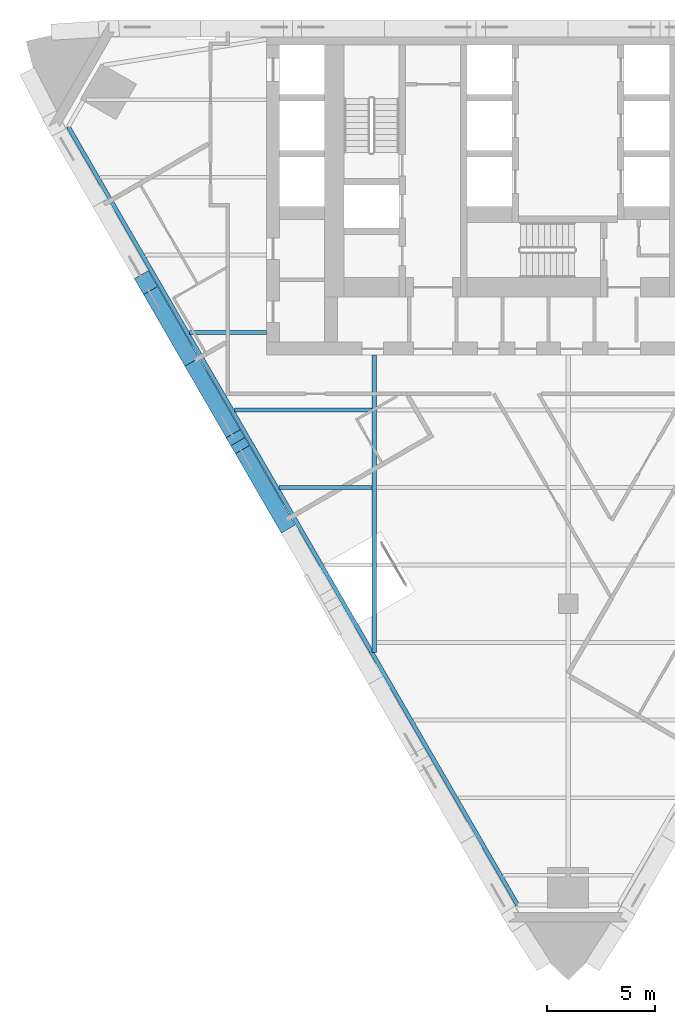
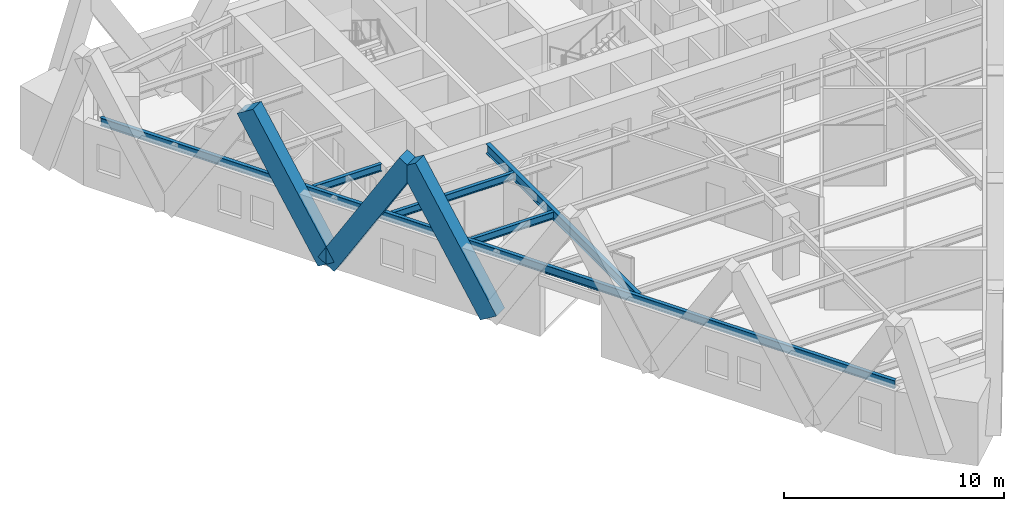
# One storey, part 3 of 12: 5 beams, 3 members.
"""IFC4 building model written with IfcOpenShell, lengths in metres."""

from ifc_helpers import new_model, si_unit, direction, frame, origin, origin_2d, place, context, subcontext, project, spatial, rectangle, i_section, extrude, material, material_profile, profile_set, type_object, element, save


model = new_model("IFC4")

# Units and contexts
model_context = context("Model", 3, precision=1e-05, world=origin(), true_north=direction((0.0, 1.0)))
body_context = subcontext(model_context, "Body", "Model", "MODEL_VIEW")
ifc_project = project(units=[si_unit("LENGTHUNIT", "METRE"), si_unit("AREAUNIT", "SQUARE_METRE"), si_unit("VOLUMEUNIT", "CUBIC_METRE"), si_unit("PLANEANGLEUNIT", "RADIAN"), si_unit("MASSUNIT", "GRAM", prefix="KILO")], contexts=[model_context])

# Site, building, storey
site_placement = place(None, origin())
site = spatial("IfcSite", under=ifc_project, at=site_placement, CompositionType="ELEMENT")
building_placement = place(site_placement, origin())
building = spatial("IfcBuilding", under=site, at=building_placement, Name="Aloe Facet Convention Tower", CompositionType="ELEMENT")
storey_placement = place(building_placement, frame((0.0, 0.0, 102.800048828125)))
storey = spatial("IfcBuildingStorey", under=building, at=storey_placement, Name="L25", CompositionType="ELEMENT", Elevation=102.800048828125)

# Beams
ifc_material_1 = material(Name="Steel S355", Category="steel")
ifc_material_profile_1 = material_profile(ifc_material_1, i_section(OverallWidth=0.177734375, OverallDepth=0.402587890625, WebThickness=0.0078125, FlangeThickness=0.010986328125, FilletRadius=0.01025390625, at=origin_2d()), Name="UB 406x178x54")
ifc_profile_set_1 = profile_set([ifc_material_profile_1], Name="Steel S355")
beam_type_1 = type_object("IfcBeamType", Name="SF-B-UB406x178x54", PredefinedType="BEAM", material=ifc_profile_set_1)
beam_1_placement = place(storey_placement, frame((62.429931640625, 120.60009765625, 3.148681640625), z_axis=(1.0, 0.0, 0.0), x_axis=(0.0, 1.0, 0.0)))
element("IfcBeam", 1, at=beam_1_placement, inside=storey, type_object=beam_type_1, Name="Floor beam FB-Z2B-016", PredefinedType="BEAM", context=body_context, shape_type="SweptSolid", body=[
    extrude(i_section(OverallWidth=0.177734375, OverallDepth=0.402587890625, WebThickness=0.0078125, FlangeThickness=0.010986328125, FilletRadius=0.01025390625, at=origin_2d()), origin(), (0.0, 0.0, 1.0), 3.570068359375),
])
beam_2_placement = place(storey_placement, frame((64.50830078125, 117.0, 3.148681640625), z_axis=(1.0, 0.0, 0.0), x_axis=(0.0, 1.0, 0.0)))
element("IfcBeam", 2, at=beam_2_placement, inside=storey, type_object=beam_type_1, Name="Floor beam FB-Z2B-017", PredefinedType="BEAM", context=body_context, shape_type="SweptSolid", body=[
    extrude(i_section(OverallWidth=0.177734375, OverallDepth=0.402587890625, WebThickness=0.0078125, FlangeThickness=0.010986328125, FilletRadius=0.01025390625, at=origin_2d()), origin(), (0.0, 0.0, 1.0), 6.38623046875),
])
beam_3_placement = place(storey_placement, frame((66.5869140625, 113.39990234375, 3.148681640625), z_axis=(1.0, 0.0, 0.0), x_axis=(0.0, 1.0, 0.0)))
element("IfcBeam", 3, at=beam_3_placement, inside=storey, type_object=beam_type_1, Name="Floor beam FB-Z2B-018", PredefinedType="BEAM", context=body_context, shape_type="SweptSolid", body=[
    extrude(i_section(OverallWidth=0.177734375, OverallDepth=0.402587890625, WebThickness=0.0078125, FlangeThickness=0.010986328125, FilletRadius=0.01025390625, at=origin_2d()), origin(), (0.0, 0.0, 1.0), 4.3076171875),
])
ifc_material_2 = material(Name="Steel S355", Category="steel")
ifc_material_profile_2 = material_profile(ifc_material_2, i_section(OverallWidth=0.18994140625, OverallDepth=0.453369140625, WebThickness=0.008544921875, FlangeThickness=0.0126953125, FilletRadius=0.01025390625, at=origin_2d()), Name="UB 457x191x67")
ifc_profile_set_2 = profile_set([ifc_material_profile_2], Name="Steel S355")
beam_type_2 = type_object("IfcBeamType", Name="SF-B-UB457x191x67", PredefinedType="BEAM", material=ifc_profile_set_2)
beam_4_placement = place(storey_placement, frame((77.658935546875, 94.01513671875, 3.123291015625), z_axis=(-0.499997308433, 0.866026957756, 0.0), x_axis=(-0.866026957756, -0.499997308433, 0.0)))
element("IfcBeam", 4, at=beam_4_placement, inside=storey, type_object=beam_type_2, Name="Floor beam FB-Z2B-003", PredefinedType="BEAM", context=body_context, shape_type="SweptSolid", body=[
    extrude(i_section(OverallWidth=0.18994140625, OverallDepth=0.453369140625, WebThickness=0.008544921875, FlangeThickness=0.0126953125, FilletRadius=0.01025390625, at=origin_2d()), origin(), (0.0, 0.0, 1.0), 41.725341796875),
])
ifc_material_3 = material(Name="Steel S355", Category="steel")
ifc_material_profile_3 = material_profile(ifc_material_3, i_section(OverallWidth=0.210693359375, OverallDepth=0.53955078125, WebThickness=0.01171875, FlangeThickness=0.018798828125, FilletRadius=0.0126953125, at=origin_2d()), Name="UB 533x210x109")
ifc_profile_set_3 = profile_set([ifc_material_profile_3], Name="Steel S355")
beam_type_3 = type_object("IfcBeamType", Name="SF-B-UB533x210x109", PredefinedType="BEAM", material=ifc_profile_set_3)
beam_5_placement = place(storey_placement, frame((71.0, 119.550048828125, 3.080078125), z_axis=(0.0, -1.0, 0.0), x_axis=(1.0, 0.0, 0.0)))
element("IfcBeam", 5, at=beam_5_placement, inside=storey, type_object=beam_type_3, Name="Floor beam FB-Z2B-009", PredefinedType="BEAM", context=body_context, shape_type="SweptSolid", body=[
    extrude(i_section(OverallWidth=0.210693359375, OverallDepth=0.53955078125, WebThickness=0.01171875, FlangeThickness=0.018798828125, FilletRadius=0.0126953125, at=origin_2d()), origin(), (0.0, 0.0, 1.0), 13.80126953125),
])

# Members
ifc_material_4 = material(Name="Concrete C60/75, bronze oxide finish", Category="concrete")
ifc_material_profile_4 = material_profile(ifc_material_4, rectangle(XDim=0.75, YDim=1.0, at=origin_2d()), Name="STW-LM")
ifc_profile_set_4 = profile_set([ifc_material_profile_4], Name="Concrete C60/75, bronze oxide finish")
member_type = type_object("IfcMemberType", Name="STW-LM", PredefinedType="BRACE", material=ifc_profile_set_4)
for number, where, z_axis, x_axis, name in (
    (6, (62.53466796875, 119.22119140625, 0.0), (-0.260116430601, 0.450564668007, 0.854008736768), (-0.866039720501, -0.4999752019, 0.0), "Lattice member LM-Z2-F2-R3-03"),
    (7, (62.53466796875, 119.22119140625, 0.0), (0.260147691546, -0.450537437867, 0.854013580491), (0.866000615939, 0.500042931351, 0.0), "Lattice member LM-Z2-F2-R3-04"),
    (8, (66.799072265625, 111.835205078125, 0.0), (-0.260116430601, 0.450564668007, 0.854008736768), (-0.866039720501, -0.4999752019, 0.0), "Lattice member LM-Z2-F2-R3-05"),
):
    element("IfcMember", number, at=place(storey_placement, frame(where, z_axis=z_axis, x_axis=x_axis)), inside=storey, type_object=member_type, Name=name, PredefinedType="BRACE", context=body_context, shape_type="SweptSolid", body=[
        extrude(rectangle(XDim=0.75, YDim=1.0, at=origin_2d()), origin(), (0.0, 0.0, 1.0), 8.196533203125),
    ])

save(model, "model.ifc")
